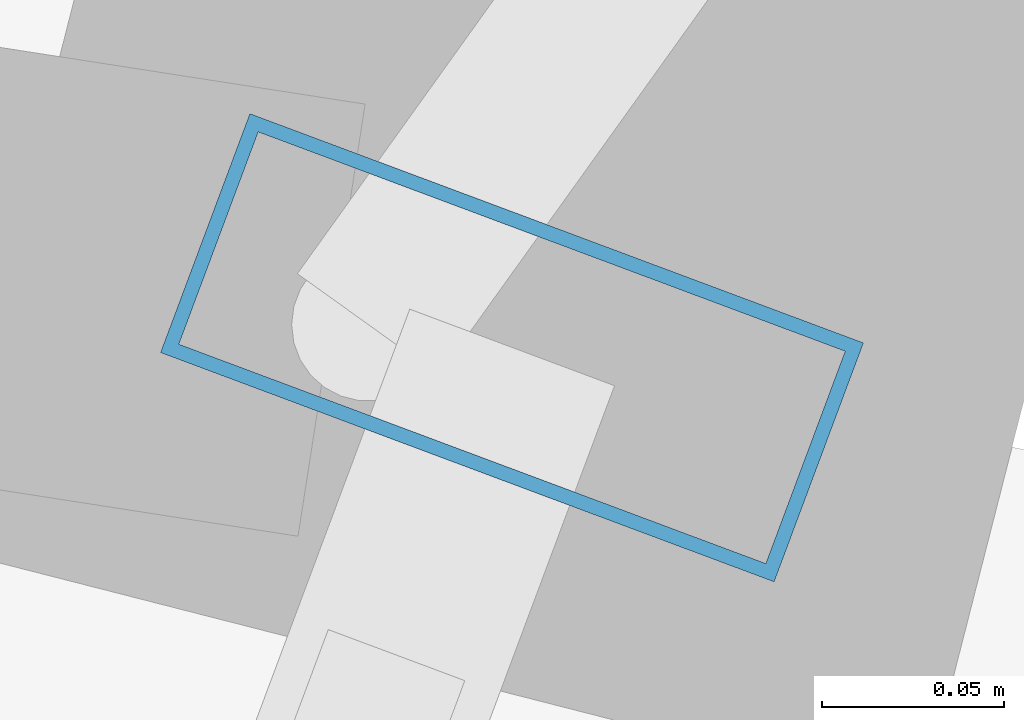
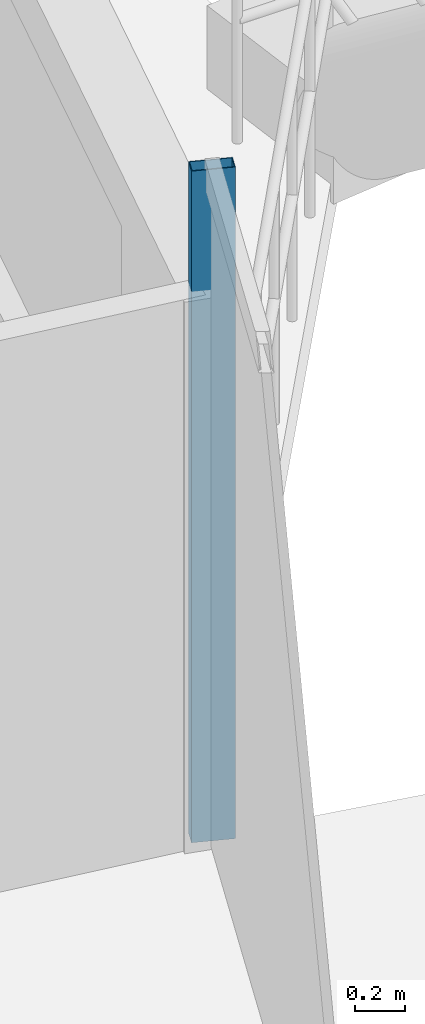
# One storey, part 11 of 21: 1 member, 1 element without a shape of its own.
"""IFC4 building model written with IfcOpenShell, lengths in metres."""

from ifc_helpers import new_model, si_unit, direction, frame, origin, origin_2d, place, context, subcontext, project, spatial, hollow_rectangle, extrude, material, layer, layer_set, material_profile, profile_set, type_object, element, aggregate, save


model = new_model("IFC4")

# Units and contexts
model_context = context("Model", 3, precision=1e-05, world=origin(), true_north=direction((0.0, 1.0)))
body_context = subcontext(model_context, "Body", "Model", "MODEL_VIEW")
ifc_project = project(units=[si_unit("LENGTHUNIT", "METRE"), si_unit("AREAUNIT", "SQUARE_METRE"), si_unit("VOLUMEUNIT", "CUBIC_METRE"), si_unit("PLANEANGLEUNIT", "RADIAN"), si_unit("MASSUNIT", "GRAM", prefix="KILO")], contexts=[model_context])

# Site, building, storey
site_placement = place(None, origin())
site = spatial("IfcSite", under=ifc_project, at=site_placement, CompositionType="ELEMENT")
building_placement = place(site_placement, origin())
building = spatial("IfcBuilding", under=site, at=building_placement, Name="Veldorina Hangang Commons", CompositionType="ELEMENT")
storey_placement = place(building_placement, frame((0.0, 0.0, 98.800048828125)))
storey = spatial("IfcBuildingStorey", under=building, at=storey_placement, Name="L25", CompositionType="ELEMENT", Elevation=98.800048828125)

# Curtain wall, member
ifc_material_1 = material(Name="Glass Low-E Triple IGU", Category="glass")
ifc_layer = layer(ifc_material_1, 0.179931640625)
ifc_layer_set = layer_set([ifc_layer], Name="Glass Low-E Triple IGU")
curtain_wall_type = type_object("IfcCurtainWallType", Name="CW-SYS-Z1", PredefinedType="NOTDEFINED", material=ifc_layer_set)
curtain_wall_placement = place(storey_placement, origin())
curtain_wall = element("IfcCurtainWall", 1, at=curtain_wall_placement, inside=storey, type_object=curtain_wall_type, Name="L25 unitised curtain wall CW-L25-R2", PredefinedType="NOTDEFINED")
ifc_material_2 = material(Name="Aluminium Anodized AA6063-T6", Category="aluminium")
ifc_material_profile = material_profile(ifc_material_2, hollow_rectangle(XDim=0.070068359375, YDim=0.179931640625, WallThickness=0.00390625, at=origin_2d()), Name="ALU-RHS-180x70x4")
ifc_profile_set = profile_set([ifc_material_profile], Name="Aluminium Anodized AA6063-T6")
member_type = type_object("IfcMemberType", Name="CW-MUL-180", PredefinedType="MULLION", material=ifc_profile_set)
member_placement = place(storey_placement, frame((57.8291015625, 19.829345703125, 0.0), z_axis=(0.0, 0.0, 1.0), x_axis=(-0.350027546656, -0.936739406976, 0.0)))
member = element("IfcMember", 2, at=member_placement, type_object=member_type, Name="CW-L25-R2 vertical mullion 5", PredefinedType="MULLION", context=body_context, shape_type="SweptSolid", body=[
    extrude(hollow_rectangle(XDim=0.070068359375, YDim=0.179931640625, WallThickness=0.00390625, at=origin_2d()), origin(), (0.0, 0.0, 1.0), 3.300048828125),
])
aggregate(curtain_wall, [member])

save(model, "model.ifc")
